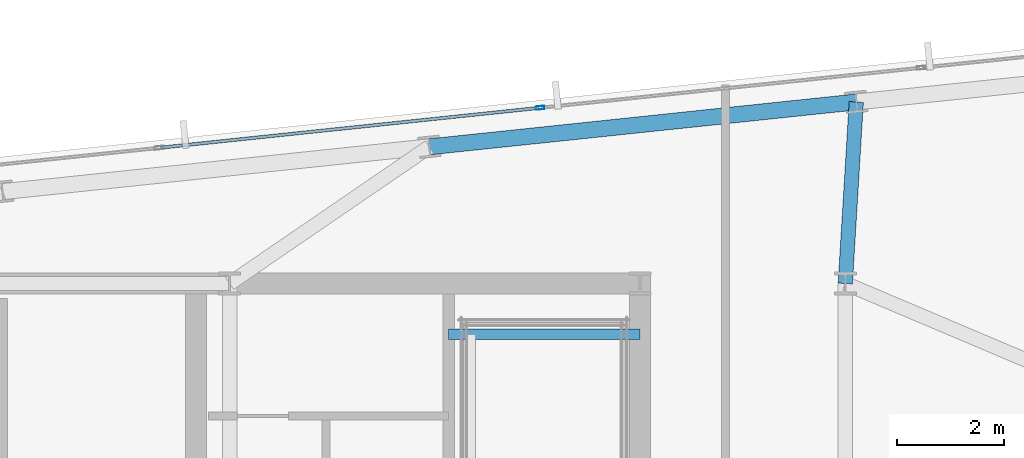
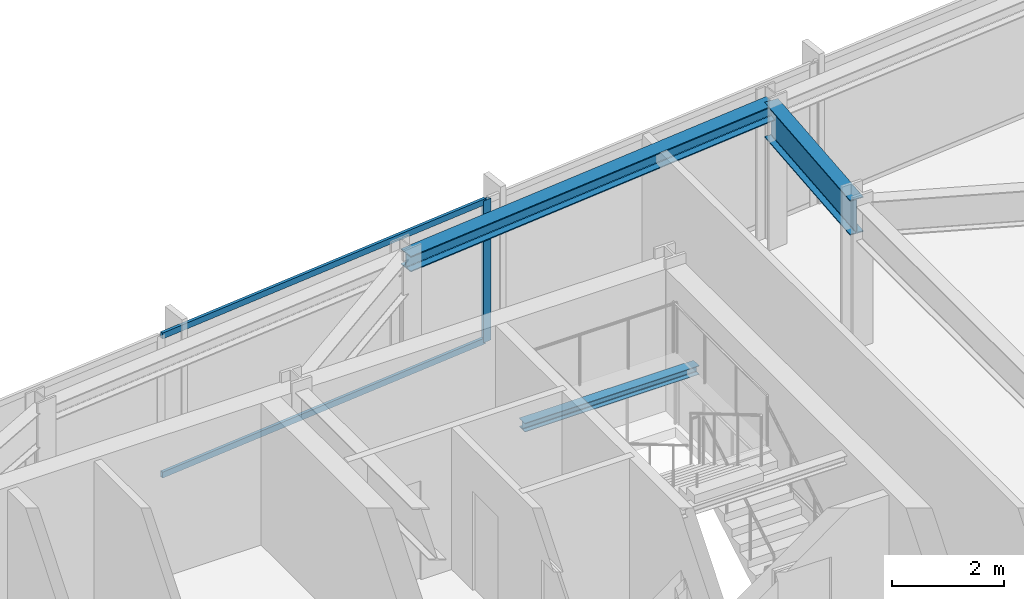
# One storey, part 23 of 33: 3 beams, 3 members, 1 element without a shape of its own.
"""IFC4 building model written with IfcOpenShell, lengths in metres."""

from ifc_helpers import new_model, si_unit, direction, frame, origin, origin_2d, place, context, subcontext, project, spatial, hollow_rectangle, i_section, extrude, material, material_profile, profile_set, type_object, element, aggregate, save


model = new_model("IFC4")

# Units and contexts
model_context = context("Model", 3, precision=1e-05, world=origin(), true_north=direction((0.0, 1.0)))
body_context = subcontext(model_context, "Body", "Model", "MODEL_VIEW")
ifc_project = project(units=[si_unit("LENGTHUNIT", "METRE"), si_unit("AREAUNIT", "SQUARE_METRE"), si_unit("VOLUMEUNIT", "CUBIC_METRE"), si_unit("PLANEANGLEUNIT", "RADIAN"), si_unit("MASSUNIT", "GRAM", prefix="KILO")], contexts=[model_context])

# Site, building, storey
site_placement = place(None, origin())
site = spatial("IfcSite", under=ifc_project, at=site_placement, CompositionType="ELEMENT")
building_placement = place(site_placement, origin())
building = spatial("IfcBuilding", under=site, at=building_placement, Name="Yelkora Congress Tower", CompositionType="ELEMENT")
storey_placement = place(building_placement, frame((0.0, 0.0, 237.5)))
storey = spatial("IfcBuildingStorey", under=building, at=storey_placement, Name="L66", CompositionType="ELEMENT", Elevation=237.5)

# Beams
ifc_material_1 = material(Name="Steel S355J2", Category="steel")
ifc_material_profile_1 = material_profile(ifc_material_1, i_section(OverallWidth=0.26708984375, OverallDepth=0.761962890625, WebThickness=0.014404296875, FlangeThickness=0.021484375, FilletRadius=0.01708984375, at=origin_2d()), Name="IPE 750x173")
ifc_profile_set_1 = profile_set([ifc_material_profile_1], Name="Steel S355J2")
beam_type_1 = type_object("IfcBeamType", Name="BM-GIRD-IPE750", PredefinedType="BEAM", material=ifc_profile_set_1)
beam_1_placement = place(storey_placement, frame((57.806640625, 49.5966796875, 2.698974609375), z_axis=(-0.060694337224, -0.998156399283, 0.0), x_axis=(0.998156399283, -0.060694337224, 0.0)))
element("IfcBeam", 1, at=beam_1_placement, inside=storey, type_object=beam_type_1, Name="L66 Primary Frame Girder N06", PredefinedType="BEAM", context=body_context, shape_type="SweptSolid", body=[
    extrude(i_section(OverallWidth=0.26708984375, OverallDepth=0.761962890625, WebThickness=0.014404296875, FlangeThickness=0.021484375, FilletRadius=0.01708984375, at=origin_2d()), origin(), (0.0, 0.0, 1.0), 3.403076171875),
])
ifc_material_profile_2 = material_profile(ifc_material_1, i_section(OverallWidth=0.199951171875, OverallDepth=0.18994140625, WebThickness=0.006591796875, FlangeThickness=0.010009765625, FilletRadius=0.01806640625, at=origin_2d()), Name="HEA 200")
ifc_profile_set_2 = profile_set([ifc_material_profile_2], Name="Steel S355J2")
beam_type_2 = type_object("IfcBeamType", Name="BM-LAND-HEA200", PredefinedType="BEAM", material=ifc_profile_set_2)
beam_2_placement = place(storey_placement, frame((50.179931640625, 45.25, 1.334716796875), z_axis=(1.0, 0.0, 0.0), x_axis=(0.0, 1.0, 0.0)))
element("IfcBeam", 2, at=beam_2_placement, inside=storey, type_object=beam_type_2, Name="ST-02 L66 Landing Header Beam 1N", PredefinedType="BEAM", context=body_context, shape_type="SweptSolid", body=[
    extrude(i_section(OverallWidth=0.199951171875, OverallDepth=0.18994140625, WebThickness=0.006591796875, FlangeThickness=0.010009765625, FilletRadius=0.01806640625, at=origin_2d()), origin(), (0.0, 0.0, 1.0), 3.580078125),
])
ifc_material_profile_3 = material_profile(ifc_material_1, i_section(OverallWidth=0.300048828125, OverallDepth=0.340087890625, WebThickness=0.011962890625, FlangeThickness=0.021484375, FilletRadius=0.027099609375, at=origin_2d()), Name="HEB 340")
ifc_profile_set_3 = profile_set([ifc_material_profile_3], Name="Steel S355J2")
beam_type_3 = type_object("IfcBeamType", Name="BM-SPAN-HEB340", PredefinedType="SPANDREL", material=ifc_profile_set_3)
beam_3_placement = place(storey_placement, frame((57.806640625, 49.5966796875, 2.909912109375), z_axis=(-0.994523256947, -0.104515507904, 0.0), x_axis=(0.104515507904, -0.994523256947, 0.0)))
element("IfcBeam", 3, at=beam_3_placement, inside=storey, type_object=beam_type_3, Name="L66 Perimeter Beam 14", PredefinedType="SPANDREL", context=body_context, shape_type="SweptSolid", body=[
    extrude(i_section(OverallWidth=0.300048828125, OverallDepth=0.340087890625, WebThickness=0.011962890625, FlangeThickness=0.021484375, FilletRadius=0.027099609375, at=origin_2d()), origin(), (0.0, 0.0, 1.0), 8.033203125),
])

# Curtain wall, members
ifc_material_2 = material(Name="Anodised aluminium and insulated glass", Category="aluminium")
curtain_wall_type = type_object("IfcCurtainWallType", Name="CW-SYS-B4", PredefinedType="NOTDEFINED", material=ifc_material_2)
curtain_wall_placement = place(storey_placement, origin())
curtain_wall = element("IfcCurtainWall", 4, at=curtain_wall_placement, inside=storey, type_object=curtain_wall_type, Name="L66 Unitised Curtain Wall 10 (3)", PredefinedType="NOTDEFINED")
ifc_material_3 = material(Name="Anodised aluminium 6063-T6", Category="aluminium")
ifc_material_profile_4 = material_profile(ifc_material_3, hollow_rectangle(XDim=0.06494140625, YDim=0.159912109375, WallThickness=0.00390625, at=origin_2d()), Name="ALU 65x160x4")
ifc_profile_set_4 = profile_set([ifc_material_profile_4], Name="Anodised aluminium 6063-T6")
member_type_1 = type_object("IfcMemberType", Name="MEM-ML-B4", PredefinedType="MULLION", material=ifc_profile_set_4)
member_1_placement = place(storey_placement, frame((51.888916015625, 49.487548828125, 0.0), z_axis=(0.0, 0.0, 1.0), x_axis=(-0.104527724021, 0.994521973066, 0.0)))
member_1 = element("IfcMember", 5, at=member_1_placement, type_object=member_type_1, Name="CW-B4 mullion 5", PredefinedType="MULLION", context=body_context, shape_type="SweptSolid", body=[
    extrude(hollow_rectangle(XDim=0.06494140625, YDim=0.159912109375, WallThickness=0.00390625, at=origin_2d()), origin(), (0.0, 0.0, 1.0), 3.080078125),
])
ifc_material_profile_5 = material_profile(ifc_material_3, hollow_rectangle(XDim=0.06005859375, YDim=0.1298828125, WallThickness=0.00390625, at=origin_2d()), Name="ALU 60x130x4")
ifc_profile_set_5 = profile_set([ifc_material_profile_5], Name="Anodised aluminium 6063-T6")
member_type_2 = type_object("IfcMemberType", Name="MEM-TR-B4", PredefinedType="USERDEFINED", material=ifc_profile_set_5)
member_2_placement = place(storey_placement, frame((44.79052734375, 48.74169921875, 0.030029296875), z_axis=(0.99452200925, 0.104527379751, 0.0), x_axis=(-0.104527379751, 0.99452200925, 0.0)))
member_2 = element("IfcMember", 6, at=member_2_placement, type_object=member_type_2, Name="CW-B4 transom 4.1", ObjectType="TRANSOM", PredefinedType="USERDEFINED", context=body_context, shape_type="SweptSolid", body=[
    extrude(hollow_rectangle(XDim=0.06005859375, YDim=0.1298828125, WallThickness=0.00390625, at=origin_2d()), origin(), (0.0, 0.0, 1.0), 7.10498046875),
])
member_3_placement = place(storey_placement, frame((44.79052734375, 48.74169921875, 3.050048828125), z_axis=(0.99452200925, 0.104527379751, 0.0), x_axis=(-0.104527379751, 0.99452200925, 0.0)))
member_3 = element("IfcMember", 7, at=member_3_placement, type_object=member_type_2, Name="CW-B4 transom 4.2", ObjectType="TRANSOM", PredefinedType="USERDEFINED", context=body_context, shape_type="SweptSolid", body=[
    extrude(hollow_rectangle(XDim=0.06005859375, YDim=0.1298828125, WallThickness=0.00390625, at=origin_2d()), origin(), (0.0, 0.0, 1.0), 7.10498046875),
])
aggregate(curtain_wall, [member_1, member_2, member_3])

save(model, "model.ifc")
